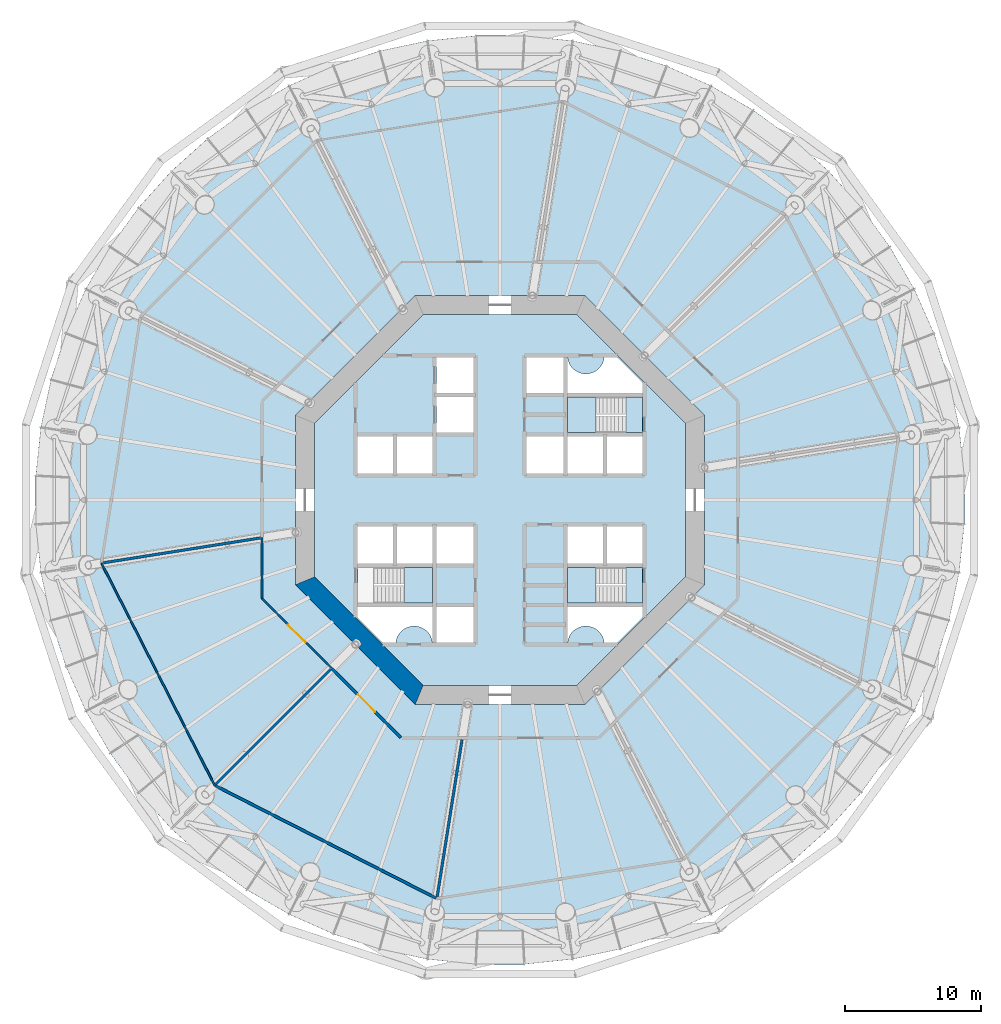
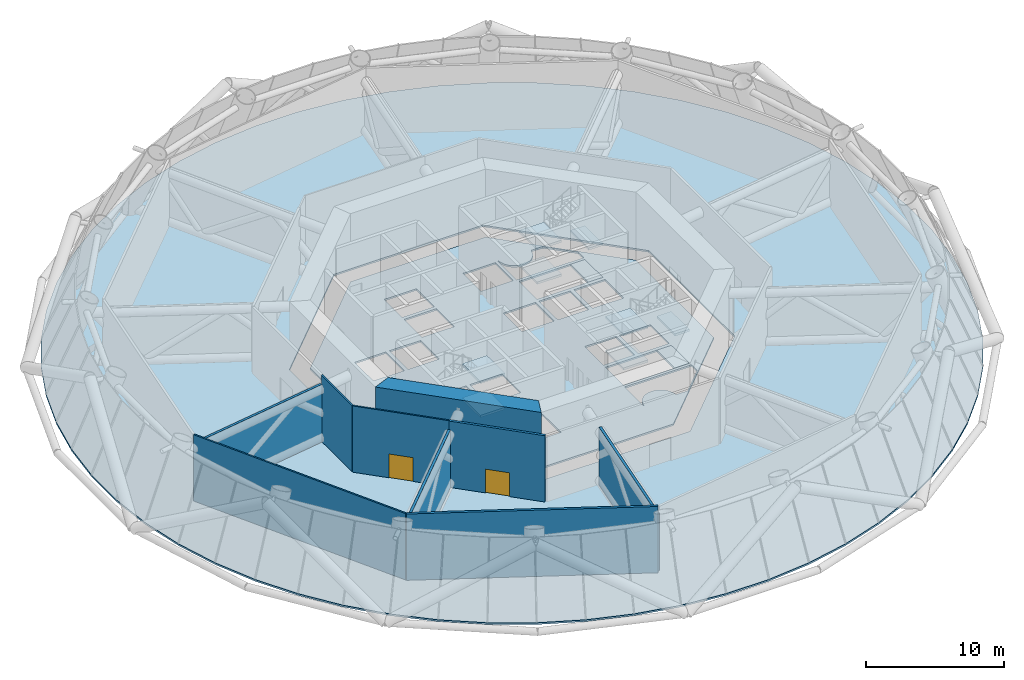
# One storey, part 7 of 14: 12 slabs, 9 walls, 2 doors, 2 openings, 3 elements without a shape of their own.
"""IFC4 building model written with IfcOpenShell, lengths in metres."""

from ifc_helpers import new_model, si_unit, direction, frame, frame_2d, origin, place, context, subcontext, project, spatial, polyline, rectangle, outline, extrude, material, layer, layer_set, type_object, element, fill, aggregate, save


model = new_model("IFC4")

# Units and contexts
model_context = context("Model", 3, precision=1e-05, world=origin(), true_north=direction((0.0, 1.0)))
body_context = subcontext(model_context, "Body", "Model", "MODEL_VIEW")
ifc_project = project(units=[si_unit("LENGTHUNIT", "METRE"), si_unit("AREAUNIT", "SQUARE_METRE"), si_unit("VOLUMEUNIT", "CUBIC_METRE"), si_unit("PLANEANGLEUNIT", "RADIAN"), si_unit("MASSUNIT", "GRAM", prefix="KILO")], contexts=[model_context])

# Site, building, storey
site_placement = place(None, origin())
site = spatial("IfcSite", under=ifc_project, at=site_placement, CompositionType="ELEMENT")
building_placement = place(site_placement, origin())
building = spatial("IfcBuilding", under=site, at=building_placement, Name="Entoto Ring Tower", CompositionType="ELEMENT")
storey_placement = place(building_placement, frame((0.0, 0.0, 74.0)))
storey = spatial("IfcBuildingStorey", under=building, at=storey_placement, Name="L16", CompositionType="ELEMENT", Elevation=74.0)

# Slabs
ifc_material_1 = material(Name="Concrete C30/37", Category="concrete")
ifc_layer_1 = layer(ifc_material_1, 0.14990234375)
ifc_layer_set_1 = layer_set([ifc_layer_1], Name="Concrete C30/37")
slab_type_1 = type_object("IfcSlabType", Name="Composite floor slab 150 mm", PredefinedType="FLOOR", material=ifc_layer_set_1)
slab_1_placement = place(storey_placement, frame((0.0, 0.0, -0.14990234375)))
element("IfcSlab", 1, at=slab_1_placement, inside=storey, type_object=slab_type_1, Name="Floor slab L16", PredefinedType="FLOOR", context=body_context, shape_type="SweptSolid", body=[
    extrude(outline(polyline([(123.68017578125, 85.33447265625), (122.93798828125, 88.82568359375), (121.835205078125, 92.220458984375), (120.38330078125, 95.48095703125), (118.5986328125, 98.572265625), (116.500732421875, 101.459716796875), (114.1123046875, 104.1123046875), (111.459716796875, 106.500732421875), (108.572265625, 108.5986328125), (105.48095703125, 110.38330078125), (102.220458984375, 111.835205078125), (98.82568359375, 112.93798828125), (95.33447265625, 113.68017578125), (91.78466796875, 114.05322265625), (88.21533203125, 114.05322265625), (84.66552734375, 113.68017578125), (81.17431640625, 112.93798828125), (77.779541015625, 111.835205078125), (74.51904296875, 110.38330078125), (71.427734375, 108.5986328125), (68.540283203125, 106.500732421875), (65.8876953125, 104.1123046875), (63.499267578125, 101.459716796875), (61.4013671875, 98.572265625), (59.61669921875, 95.48095703125), (58.164794921875, 92.220458984375), (57.06201171875, 88.82568359375), (56.31982421875, 85.33447265625), (55.94677734375, 81.78466796875), (55.94677734375, 78.21533203125), (56.31982421875, 74.66552734375), (57.06201171875, 71.17431640625), (58.164794921875, 67.779541015625), (59.61669921875, 64.51904296875), (61.4013671875, 61.427734375), (63.499267578125, 58.540283203125), (65.8876953125, 55.8876953125), (68.540283203125, 53.499267578125), (71.427734375, 51.4013671875), (74.51904296875, 49.61669921875), (77.779541015625, 48.164794921875), (81.17431640625, 47.06201171875), (84.66552734375, 46.31982421875), (88.21533203125, 45.94677734375), (91.78466796875, 45.94677734375), (95.33447265625, 46.31982421875), (98.82568359375, 47.06201171875), (102.220458984375, 48.164794921875), (105.48095703125, 49.61669921875), (108.572265625, 51.4013671875), (111.459716796875, 53.499267578125), (114.1123046875, 55.8876953125), (116.500732421875, 58.540283203125), (118.5986328125, 61.427734375), (120.38330078125, 64.51904296875), (121.835205078125, 67.779541015625), (122.93798828125, 71.17431640625), (123.68017578125, 74.66552734375), (124.05322265625, 78.21533203125), (124.05322265625, 81.78466796875), (123.68017578125, 85.33447265625)]), holes=[polyline([(105.0, 73.786865234375), (105.0, 86.213134765625), (96.213134765625, 95.0), (83.786865234375, 95.0), (75.0, 86.213134765625), (75.0, 73.786865234375), (83.786865234375, 65.0), (96.213134765625, 65.0), (105.0, 73.786865234375)])]), origin(), (0.0, 0.0, 1.0), 0.14990234375),
])
ifc_material_2 = material(Name="Concrete C40/50", Category="concrete")
ifc_layer_2 = layer(ifc_material_2, 0.14990234375)
ifc_layer_set_2 = layer_set([ifc_layer_2], Name="Concrete C40/50")
slab_type_2 = type_object("IfcSlabType", Name="Core floor slab 150 mm reinforced concrete C40/50", PredefinedType="FLOOR", material=ifc_layer_set_2)
slab_2_placement = place(storey_placement, frame((0.0, 0.0, -0.14990234375)))
element("IfcSlab", 2, at=slab_2_placement, inside=storey, type_object=slab_type_2, Name="Core floor L16", PredefinedType="FLOOR", context=body_context, shape_type="SweptSolid", body=[
    extrude(outline(polyline([(103.60009765625, 74.36669921875), (103.60009765625, 85.63330078125), (95.63330078125, 93.60009765625), (84.36669921875, 93.60009765625), (76.39990234375, 85.63330078125), (76.39990234375, 74.36669921875), (84.36669921875, 66.39990234375), (95.63330078125, 66.39990234375), (103.60009765625, 74.36669921875)]), holes=[polyline([(100.449951171875, 84.949951171875), (100.449951171875, 87.550048828125), (94.949951171875, 87.550048828125), (94.949951171875, 84.949951171875), (100.449951171875, 84.949951171875)]), polyline([(85.050048828125, 72.449951171875), (85.050048828125, 75.050048828125), (79.550048828125, 75.050048828125), (79.550048828125, 72.449951171875), (85.050048828125, 72.449951171875)]), polyline([(100.449951171875, 72.449951171875), (100.449951171875, 75.050048828125), (94.949951171875, 75.050048828125), (94.949951171875, 72.449951171875), (100.449951171875, 72.449951171875)]), polyline([(94.949951171875, 81.949951171875), (97.550048828125, 81.949951171875), (97.550048828125, 84.64990234375), (94.949951171875, 84.64990234375), (94.949951171875, 81.949951171875)]), polyline([(97.85009765625, 81.949951171875), (100.449951171875, 81.949951171875), (100.449951171875, 84.64990234375), (97.85009765625, 84.64990234375), (97.85009765625, 81.949951171875)]), polyline([(82.449951171875, 81.949951171875), (85.050048828125, 81.949951171875), (85.050048828125, 84.64990234375), (82.449951171875, 84.64990234375), (82.449951171875, 81.949951171875)]), polyline([(94.949951171875, 75.35009765625), (97.550048828125, 75.35009765625), (97.550048828125, 78.050048828125), (94.949951171875, 78.050048828125), (94.949951171875, 75.35009765625)]), polyline([(97.85009765625, 75.35009765625), (100.449951171875, 75.35009765625), (100.449951171875, 78.050048828125), (97.85009765625, 78.050048828125), (97.85009765625, 75.35009765625)]), polyline([(82.449951171875, 75.35009765625), (85.050048828125, 75.35009765625), (85.050048828125, 78.050048828125), (82.449951171875, 78.050048828125), (82.449951171875, 75.35009765625)]), polyline([(79.550048828125, 81.949951171875), (82.14990234375, 81.949951171875), (82.14990234375, 84.64990234375), (79.550048828125, 84.64990234375), (79.550048828125, 81.949951171875)]), polyline([(79.550048828125, 75.35009765625), (82.14990234375, 75.35009765625), (82.14990234375, 78.050048828125), (79.550048828125, 78.050048828125), (79.550048828125, 75.35009765625)]), polyline([(91.949951171875, 87.85009765625), (94.64990234375, 87.85009765625), (94.64990234375, 90.449951171875), (91.949951171875, 90.449951171875), (91.949951171875, 87.85009765625)]), polyline([(85.35009765625, 69.550048828125), (88.050048828125, 69.550048828125), (88.050048828125, 72.14990234375), (85.35009765625, 72.14990234375), (85.35009765625, 69.550048828125)]), polyline([(91.949951171875, 81.949951171875), (94.64990234375, 81.949951171875), (94.64990234375, 84.64990234375), (91.949951171875, 84.64990234375), (91.949951171875, 81.949951171875)]), polyline([(85.35009765625, 75.35009765625), (88.050048828125, 75.35009765625), (88.050048828125, 78.050048828125), (85.35009765625, 78.050048828125), (85.35009765625, 75.35009765625)]), polyline([(85.35009765625, 84.949951171875), (88.050048828125, 84.949951171875), (88.050048828125, 87.550048828125), (85.35009765625, 87.550048828125), (85.35009765625, 84.949951171875)]), polyline([(85.35009765625, 87.85009765625), (88.050048828125, 87.85009765625), (88.050048828125, 90.449951171875), (85.35009765625, 90.449951171875), (85.35009765625, 87.85009765625)]), polyline([(94.89990234375, 90.5), (94.89990234375, 87.800048828125), (100.5, 87.800048828125), (100.5, 88.591796875), (98.591796875, 90.5), (97.64501953125, 90.5), (97.6435546875, 90.4677734375), (97.6240234375, 90.336669921875), (97.591796875, 90.2080078125), (97.547119140625, 90.08349609375), (97.490478515625, 89.963623046875), (97.422607421875, 89.85009765625), (97.343505859375, 89.74365234375), (97.254638671875, 89.6455078125), (97.156494140625, 89.556396484375), (97.050048828125, 89.4775390625), (96.936279296875, 89.409423828125), (96.816650390625, 89.352783203125), (96.69189453125, 89.30810546875), (96.5634765625, 89.27587890625), (96.432373046875, 89.256591796875), (96.300048828125, 89.25), (96.167724609375, 89.256591796875), (96.03662109375, 89.27587890625), (95.908203125, 89.30810546875), (95.783447265625, 89.352783203125), (95.66357421875, 89.409423828125), (95.550048828125, 89.4775390625), (95.443603515625, 89.556396484375), (95.345458984375, 89.6455078125), (95.25634765625, 89.74365234375), (95.177490234375, 89.85009765625), (95.109375, 89.963623046875), (95.052734375, 90.08349609375), (95.008056640625, 90.2080078125), (94.975830078125, 90.336669921875), (94.95654296875, 90.4677734375), (94.954833984375, 90.5), (94.89990234375, 90.5)]), polyline([(79.5, 71.408203125), (81.408203125, 69.5), (82.35498046875, 69.5), (82.3564453125, 69.5322265625), (82.3759765625, 69.663330078125), (82.408203125, 69.7919921875), (82.452880859375, 69.91650390625), (82.509521484375, 70.036376953125), (82.577392578125, 70.14990234375), (82.656494140625, 70.25634765625), (82.745361328125, 70.3544921875), (82.843505859375, 70.443603515625), (82.949951171875, 70.5224609375), (83.063720703125, 70.590576171875), (83.183349609375, 70.647216796875), (83.30810546875, 70.69189453125), (83.4365234375, 70.72412109375), (83.567626953125, 70.743408203125), (83.699951171875, 70.75), (83.832275390625, 70.743408203125), (83.96337890625, 70.72412109375), (84.091796875, 70.69189453125), (84.216552734375, 70.647216796875), (84.33642578125, 70.590576171875), (84.449951171875, 70.5224609375), (84.556396484375, 70.443603515625), (84.654541015625, 70.3544921875), (84.74365234375, 70.25634765625), (84.822509765625, 70.14990234375), (84.890625, 70.036376953125), (84.947265625, 69.91650390625), (84.991943359375, 69.7919921875), (85.024169921875, 69.663330078125), (85.04345703125, 69.5322265625), (85.045166015625, 69.5), (85.10009765625, 69.5), (85.10009765625, 72.199951171875), (79.5, 72.199951171875), (79.5, 71.408203125)]), polyline([(97.64501953125, 69.5), (98.591796875, 69.5), (100.5, 71.408203125), (100.5, 72.199951171875), (94.89990234375, 72.199951171875), (94.89990234375, 69.5), (94.954833984375, 69.5), (94.95654296875, 69.5322265625), (94.975830078125, 69.663330078125), (95.008056640625, 69.7919921875), (95.052734375, 69.91650390625), (95.109375, 70.036376953125), (95.177490234375, 70.14990234375), (95.25634765625, 70.25634765625), (95.345458984375, 70.3544921875), (95.443603515625, 70.443603515625), (95.550048828125, 70.5224609375), (95.66357421875, 70.590576171875), (95.783447265625, 70.647216796875), (95.908203125, 70.69189453125), (96.03662109375, 70.72412109375), (96.167724609375, 70.743408203125), (96.300048828125, 70.75), (96.432373046875, 70.743408203125), (96.5634765625, 70.72412109375), (96.69189453125, 70.69189453125), (96.816650390625, 70.647216796875), (96.936279296875, 70.590576171875), (97.050048828125, 70.5224609375), (97.156494140625, 70.443603515625), (97.254638671875, 70.3544921875), (97.343505859375, 70.25634765625), (97.422607421875, 70.14990234375), (97.490478515625, 70.036376953125), (97.547119140625, 69.91650390625), (97.591796875, 69.7919921875), (97.6240234375, 69.663330078125), (97.6435546875, 69.5322265625), (97.64501953125, 69.5)])]), origin(), (0.0, 0.0, 1.0), 0.14990234375),
])

# Stair, slabs
ifc_material_3 = material(Name="Concrete C40/50", Category="concrete")
stair_type = type_object("IfcStairType", Name="Exit stair 1200 mm dog-leg reinforced concrete", PredefinedType="HALF_TURN_STAIR", material=ifc_material_3)
stair_1_placement = place(storey_placement, origin())
stair_1 = element("IfcStair", 3, at=stair_1_placement, inside=storey, type_object=stair_type, Name="Exit stair 1", PredefinedType="HALF_TURN_STAIR")
ifc_material_4 = material(Name="Concrete C40/50", Category="concrete")
ifc_layer_3 = layer(ifc_material_4, 0.199951171875)
ifc_layer_set_3 = layer_set([ifc_layer_3], Name="Concrete C40/50")
slab_type_3 = type_object("IfcSlabType", Name="Stair landing 200 mm reinforced concrete", PredefinedType="LANDING", material=ifc_layer_set_3)
slab_3_placement = place(storey_placement, frame((0.0, 0.0, -0.199951171875)))
slab_3 = element("IfcSlab", 4, at=slab_3_placement, type_object=slab_type_3, Name="ST1 landing 1", PredefinedType="LANDING", context=body_context, shape_type="SweptSolid", body=[
    extrude(outline(polyline([(100.449951171875, 84.949951171875), (100.449951171875, 87.550048828125), (99.25, 87.550048828125), (99.25, 84.949951171875), (100.449951171875, 84.949951171875)])), origin(), (0.0, 0.0, 1.0), 0.199951171875),
])
slab_4_placement = place(storey_placement, frame((0.0, 0.0, 1.300048828125)))
slab_4 = element("IfcSlab", 5, at=slab_4_placement, type_object=slab_type_3, Name="ST1 landing 2", PredefinedType="LANDING", context=body_context, shape_type="SweptSolid", body=[
    extrude(outline(polyline([(94.949951171875, 84.949951171875), (97.010009765625, 84.949951171875), (97.010009765625, 87.550048828125), (94.949951171875, 87.550048828125), (94.949951171875, 84.949951171875)])), origin(), (0.0, 0.0, 1.0), 0.199951171875),
])
slab_5_placement = place(storey_placement, frame((0.0, 0.0, 2.800048828125)))
slab_5 = element("IfcSlab", 6, at=slab_5_placement, type_object=slab_type_3, Name="ST1 landing 3", PredefinedType="LANDING", context=body_context, shape_type="SweptSolid", body=[
    extrude(outline(polyline([(99.25, 84.949951171875), (100.449951171875, 84.949951171875), (100.449951171875, 87.550048828125), (99.25, 87.550048828125), (99.25, 84.949951171875)])), origin(), (0.0, 0.0, 1.0), 0.199951171875),
])
slab_6_placement = place(storey_placement, frame((0.0, 0.0, 4.300048828125)))
slab_6 = element("IfcSlab", 7, at=slab_6_placement, type_object=slab_type_3, Name="ST1 landing 4", PredefinedType="LANDING", context=body_context, shape_type="SweptSolid", body=[
    extrude(outline(polyline([(94.949951171875, 84.949951171875), (97.010009765625, 84.949951171875), (97.010009765625, 87.550048828125), (94.949951171875, 87.550048828125), (94.949951171875, 84.949951171875)])), origin(), (0.0, 0.0, 1.0), 0.199951171875),
])
aggregate(stair_1, [slab_3, slab_4, slab_5, slab_6])

stair_2_placement = place(storey_placement, origin())
stair_2 = element("IfcStair", 8, at=stair_2_placement, inside=storey, type_object=stair_type, Name="Exit stair 2", PredefinedType="HALF_TURN_STAIR")
slab_7_placement = place(storey_placement, frame((0.0, 0.0, 1.300048828125)))
slab_7 = element("IfcSlab", 9, at=slab_7_placement, type_object=slab_type_3, Name="ST2 landing 2", PredefinedType="LANDING", context=body_context, shape_type="SweptSolid", body=[
    extrude(outline(polyline([(82.989990234375, 72.449951171875), (85.050048828125, 72.449951171875), (85.050048828125, 75.050048828125), (82.989990234375, 75.050048828125), (82.989990234375, 72.449951171875)])), origin(), (0.0, 0.0, 1.0), 0.199951171875),
])
slab_8_placement = place(storey_placement, frame((0.0, 0.0, 4.300048828125)))
slab_8 = element("IfcSlab", 10, at=slab_8_placement, type_object=slab_type_3, Name="ST2 landing 4", PredefinedType="LANDING", context=body_context, shape_type="SweptSolid", body=[
    extrude(outline(polyline([(82.989990234375, 72.449951171875), (85.050048828125, 72.449951171875), (85.050048828125, 75.050048828125), (82.989990234375, 75.050048828125), (82.989990234375, 72.449951171875)])), origin(), (0.0, 0.0, 1.0), 0.199951171875),
])
aggregate(stair_2, [slab_7, slab_8])

stair_3_placement = place(storey_placement, origin())
stair_3 = element("IfcStair", 11, at=stair_3_placement, inside=storey, type_object=stair_type, Name="Exit stair 3", PredefinedType="HALF_TURN_STAIR")
slab_9_placement = place(storey_placement, frame((0.0, 0.0, -0.199951171875)))
slab_9 = element("IfcSlab", 12, at=slab_9_placement, type_object=slab_type_3, Name="ST3 landing 1", PredefinedType="LANDING", context=body_context, shape_type="SweptSolid", body=[
    extrude(outline(polyline([(100.449951171875, 72.449951171875), (100.449951171875, 75.050048828125), (99.25, 75.050048828125), (99.25, 72.449951171875), (100.449951171875, 72.449951171875)])), origin(), (0.0, 0.0, 1.0), 0.199951171875),
])
slab_10_placement = place(storey_placement, frame((0.0, 0.0, 1.300048828125)))
slab_10 = element("IfcSlab", 13, at=slab_10_placement, type_object=slab_type_3, Name="ST3 landing 2", PredefinedType="LANDING", context=body_context, shape_type="SweptSolid", body=[
    extrude(outline(polyline([(94.949951171875, 72.449951171875), (97.010009765625, 72.449951171875), (97.010009765625, 75.050048828125), (94.949951171875, 75.050048828125), (94.949951171875, 72.449951171875)])), origin(), (0.0, 0.0, 1.0), 0.199951171875),
])
slab_11_placement = place(storey_placement, frame((0.0, 0.0, 2.800048828125)))
slab_11 = element("IfcSlab", 14, at=slab_11_placement, type_object=slab_type_3, Name="ST3 landing 3", PredefinedType="LANDING", context=body_context, shape_type="SweptSolid", body=[
    extrude(outline(polyline([(99.25, 72.449951171875), (100.449951171875, 72.449951171875), (100.449951171875, 75.050048828125), (99.25, 75.050048828125), (99.25, 72.449951171875)])), origin(), (0.0, 0.0, 1.0), 0.199951171875),
])
slab_12_placement = place(storey_placement, frame((0.0, 0.0, 4.300048828125)))
slab_12 = element("IfcSlab", 15, at=slab_12_placement, type_object=slab_type_3, Name="ST3 landing 4", PredefinedType="LANDING", context=body_context, shape_type="SweptSolid", body=[
    extrude(outline(polyline([(94.949951171875, 72.449951171875), (97.010009765625, 72.449951171875), (97.010009765625, 75.050048828125), (94.949951171875, 75.050048828125), (94.949951171875, 72.449951171875)])), origin(), (0.0, 0.0, 1.0), 0.199951171875),
])
aggregate(stair_3, [slab_9, slab_10, slab_11, slab_12])

# Walls
ifc_material_5 = material(Name="Concrete C60/75", Category="concrete")
ifc_layer_4 = layer(ifc_material_5, 1.39990234375)
ifc_layer_set_4 = layer_set([ifc_layer_4], Name="Concrete C60/75")
wall_type_1 = type_object("IfcWallType", Name="Core shear wall 1400 mm reinforced concrete C60/75", PredefinedType="SHEAR", material=ifc_layer_set_4)
wall_1_placement = place(storey_placement, frame((75.699951171875, 74.07666015625, 0.0), z_axis=(0.0, 0.0, 1.0), x_axis=(0.707106781187, -0.707106781187, 0.0)))
element("IfcWall", 16, at=wall_1_placement, inside=storey, type_object=wall_type_1, Name="wall-L16-core-5", PredefinedType="SHEAR", context=body_context, shape_type="SweptSolid", body=[
    extrude(outline(polyline([(-0.2900390625, -0.699951171875), (12.136474609375, -0.699951171875), (11.556396484375, 0.699951171875), (0.2900390625, 0.699951171875), (-0.2900390625, -0.699951171875)])), origin(), (0.0, 0.0, 1.0), 6.0),
])
ifc_material_6 = material(Name="Fire-resisting plasterboard on steel studs", Category="steel")
ifc_layer_5 = layer(ifc_material_6, 0.125)
ifc_layer_set_5 = layer_set([ifc_layer_5], Name="Fire-resisting plasterboard on steel studs")
wall_type_2 = type_object("IfcWallType", Name="Corridor wall 125 mm one-hour plasterboard on steel studs", PredefinedType="PARTITIONING", material=ifc_layer_set_5)
wall_2_placement = place(storey_placement, frame((69.069580078125, 59.069580078125, 0.0), z_axis=(0.0, 0.0, 1.0), x_axis=(-0.453990954158, 0.891006292651, 0.0)))
element("IfcWall", 17, at=wall_2_placement, inside=storey, type_object=wall_type_2, Name="partition-L16-002", PredefinedType="PARTITIONING", context=body_context, shape_type="SweptSolid", body=[
    extrude(rectangle(XDim=18.293701171875, YDim=0.125, at=frame_2d((9.14697265625, 0.0))), origin(), (0.0, 0.0, 1.0), 5.85009765625),
])

# Wall, opening, door
wall_3_placement = place(storey_placement, frame((77.652099609375, 67.652099609375, 0.0), z_axis=(0.0, 0.0, 1.0), x_axis=(-0.707089904526, 0.707123657445, 0.0)))
wall_3 = element("IfcWall", 18, at=wall_3_placement, inside=storey, type_object=wall_type_2, Name="partition-L16-004", PredefinedType="PARTITIONING", context=body_context, shape_type="SweptSolid", body=[
    extrude(rectangle(XDim=7.233154296875, YDim=0.125, at=frame_2d((3.61669921875, 0.0))), origin(), (0.0, 0.0, 1.0), 5.85009765625),
])
opening_1_placement = place(wall_3_placement, frame((2.716552734375, 0.0, 0.0)))
opening_1 = element("IfcOpeningElement", 19, at=opening_1_placement, cuts=wall_3, Name="Opening A07-D06", PredefinedType="OPENING", context=body_context, shape_type="SweptSolid", body=[
    extrude(rectangle(XDim=1.800048828125, YDim=2.10009765625, at=frame_2d((0.89990234375, 1.050048828125))), frame((0.0, 0.072509765625, 0.0), z_axis=(0.0, -1.0, 0.0), x_axis=(1.0, 0.0, 0.0)), (0.0, 0.0, 1.0), 0.14501953125),
])
ifc_material_7 = material(Name="Fire-resisting timber door set", Category="wood")
door_type_1 = type_object("IfcDoorType", Name="Door 1800 x 2100 double leaf FD30S fire door", OperationType="DOUBLE_DOOR_SINGLE_SWING", PredefinedType="DOOR", material=ifc_material_7)
door_1_placement = place(opening_1_placement, origin())
door_1 = element("IfcDoor", 20, at=door_1_placement, inside=storey, type_object=door_type_1, Name="Door A07-D06", OperationType="DOUBLE_DOOR_SINGLE_SWING", OverallHeight=2.10009765625, OverallWidth=1.800048828125, PredefinedType="DOOR", context=body_context, shape_type="SweptSolid", body=[
    extrude(rectangle(XDim=1.800048828125, YDim=2.10009765625, at=frame_2d((0.89990234375, 1.050048828125))), frame((0.0, 0.02490234375, 0.0), z_axis=(0.0, -1.0, 0.0), x_axis=(1.0, 0.0, 0.0)), (0.0, 0.0, 1.0), 0.050048828125),
])
fill(opening_1, door_1)

# Walls
wall_4_placement = place(storey_placement, frame((72.53759765625, 72.810791015625, 0.0), z_axis=(0.0, 0.0, 1.0), x_axis=(0.0, 1.0, 0.0)))
element("IfcWall", 21, at=wall_4_placement, inside=storey, type_object=wall_type_2, Name="partition-L16-005", PredefinedType="PARTITIONING", context=body_context, shape_type="SweptSolid", body=[
    extrude(rectangle(XDim=4.42333984375, YDim=0.125, at=frame_2d((2.211669921875, 0.0))), origin(), (0.0, 0.0, 1.0), 5.85009765625),
])
ifc_material_8 = material(Name="Concrete C20/25", Category="concrete")
ifc_layer_6 = layer(ifc_material_8, 0.199951171875)
ifc_layer_set_6 = layer_set([ifc_layer_6], Name="Concrete C20/25")
wall_type_3 = type_object("IfcWallType", Name="Plant room wall 200 mm two-hour concrete", PredefinedType="PARTITIONING", material=ifc_layer_set_6)
wall_5_placement = place(storey_placement, frame((85.3173828125, 50.791015625, 0.0), z_axis=(0.0, 0.0, 1.0), x_axis=(-0.891010112768, 0.453983456686, 0.0)))
element("IfcWall", 22, at=wall_5_placement, inside=storey, type_object=wall_type_3, Name="partition-L16-012", PredefinedType="PARTITIONING", context=body_context, shape_type="SweptSolid", body=[
    extrude(rectangle(XDim=18.19873046875, YDim=0.199951171875, at=frame_2d((9.099365234375, 0.0))), origin(), (0.0, 0.0, 1.0), 5.85009765625),
])

# Wall, opening, door
wall_6_placement = place(storey_placement, frame((82.716796875, 62.58740234375, 0.0), z_axis=(0.0, 0.0, 1.0), x_axis=(-0.707106781187, 0.707106781187, 0.0)))
wall_6 = element("IfcWall", 23, at=wall_6_placement, inside=storey, type_object=wall_type_3, Name="partition-L16-031", PredefinedType="PARTITIONING", context=body_context, shape_type="SweptSolid", body=[
    extrude(rectangle(XDim=7.16259765625, YDim=0.199951171875, at=frame_2d((3.581298828125, 0.0))), origin(), (0.0, 0.0, 1.0), 5.85009765625),
])
opening_2_placement = place(wall_6_placement, frame((2.646240234375, 0.0, 0.0)))
opening_2 = element("IfcOpeningElement", 24, at=opening_2_placement, cuts=wall_6, Name="Opening A07-D07", PredefinedType="OPENING", context=body_context, shape_type="SweptSolid", body=[
    extrude(rectangle(XDim=1.800048828125, YDim=2.10009765625, at=frame_2d((0.89990234375, 1.050048828125))), frame((0.0, 0.10986328125, 0.0), z_axis=(0.0, -1.0, 0.0), x_axis=(1.0, 0.0, 0.0)), (0.0, 0.0, 1.0), 0.219970703125),
])
ifc_material_9 = material(Name="Fire-resisting steel door set", Category="steel")
door_type_2 = type_object("IfcDoorType", Name="Door 1800 x 2100 double leaf FD60 steel door", OperationType="DOUBLE_DOOR_SINGLE_SWING", PredefinedType="DOOR", material=ifc_material_9)
door_2_placement = place(opening_2_placement, origin())
door_2 = element("IfcDoor", 25, at=door_2_placement, inside=storey, type_object=door_type_2, Name="Door A07-D07", OperationType="DOUBLE_DOOR_SINGLE_SWING", OverallHeight=2.10009765625, OverallWidth=1.800048828125, PredefinedType="DOOR", context=body_context, shape_type="SweptSolid", body=[
    extrude(rectangle(XDim=1.800048828125, YDim=2.10009765625, at=frame_2d((0.89990234375, 1.050048828125))), frame((0.0, 0.02490234375, 0.0), z_axis=(0.0, -1.0, 0.0), x_axis=(1.0, 0.0, 0.0)), (0.0, 0.0, 1.0), 0.050048828125),
])
fill(opening_2, door_2)

# Walls
ifc_material_10 = material(Name="Concrete C20/25", Category="concrete")
ifc_layer_7 = layer(ifc_material_10, 0.199951171875)
ifc_layer_set_7 = layer_set([ifc_layer_7], Name="Concrete C20/25")
wall_type_4 = type_object("IfcWallType", Name="Plant room wall 200 mm two-hour concrete, 5097 mm high", PredefinedType="PARTITIONING", material=ifc_layer_set_7)
wall_7_placement = place(storey_placement, frame((69.1669921875, 59.1669921875, 0.0), z_axis=(0.0, 0.0, 1.0), x_axis=(0.707106781187, 0.707106781187, 0.0)))
element("IfcWall", 26, at=wall_7_placement, inside=storey, type_object=wall_type_4, Name="partition-L16-020", PredefinedType="PARTITIONING", context=body_context, shape_type="SweptSolid", body=[
    extrude(rectangle(XDim=11.899658203125, YDim=0.199951171875, at=frame_2d((5.94970703125, 0.0))), origin(), (0.0, 0.0, 1.0), 5.096923828125),
])
wall_8_placement = place(storey_placement, frame((60.900146484375, 75.39111328125, 0.0), z_axis=(0.0, 0.0, 1.0), x_axis=(0.98768949428, 0.156427180785, 0.0)))
element("IfcWall", 27, at=wall_8_placement, inside=storey, type_object=wall_type_4, Name="partition-L16-022", PredefinedType="PARTITIONING", context=body_context, shape_type="SweptSolid", body=[
    extrude(rectangle(XDim=11.68359375, YDim=0.199951171875, at=frame_2d((5.841796875, 0.0))), origin(), (0.0, 0.0, 1.0), 5.096923828125),
])
wall_9_placement = place(storey_placement, frame((85.39111328125, 50.900146484375, 0.0), z_axis=(0.0, 0.0, 1.0), x_axis=(0.156421461862, 0.987690400008, 0.0)))
element("IfcWall", 28, at=wall_9_placement, inside=storey, type_object=wall_type_4, Name="partition-L16-023", PredefinedType="PARTITIONING", context=body_context, shape_type="SweptSolid", body=[
    extrude(rectangle(XDim=11.665283203125, YDim=0.199951171875, at=frame_2d((5.83251953125, 0.0))), origin(), (0.0, 0.0, 1.0), 5.096923828125),
])

save(model, "model.ifc")
